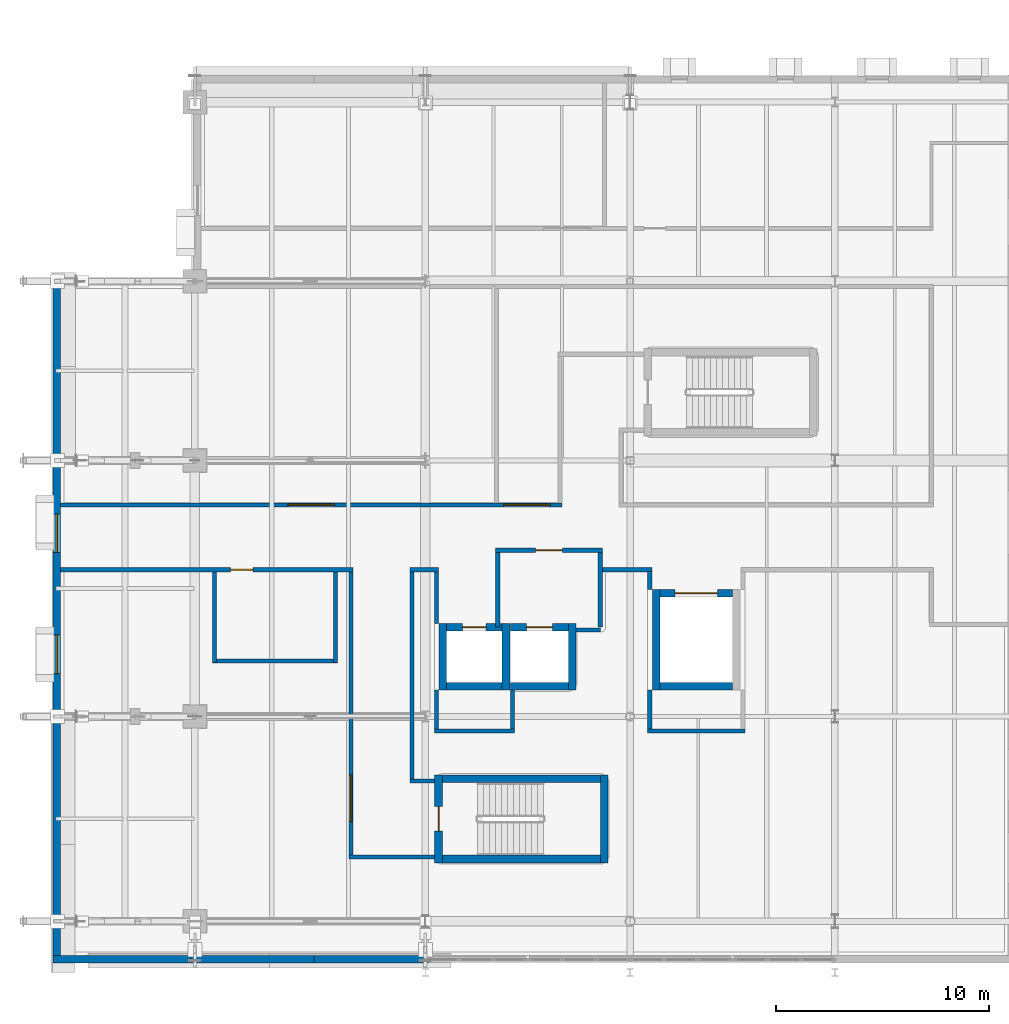
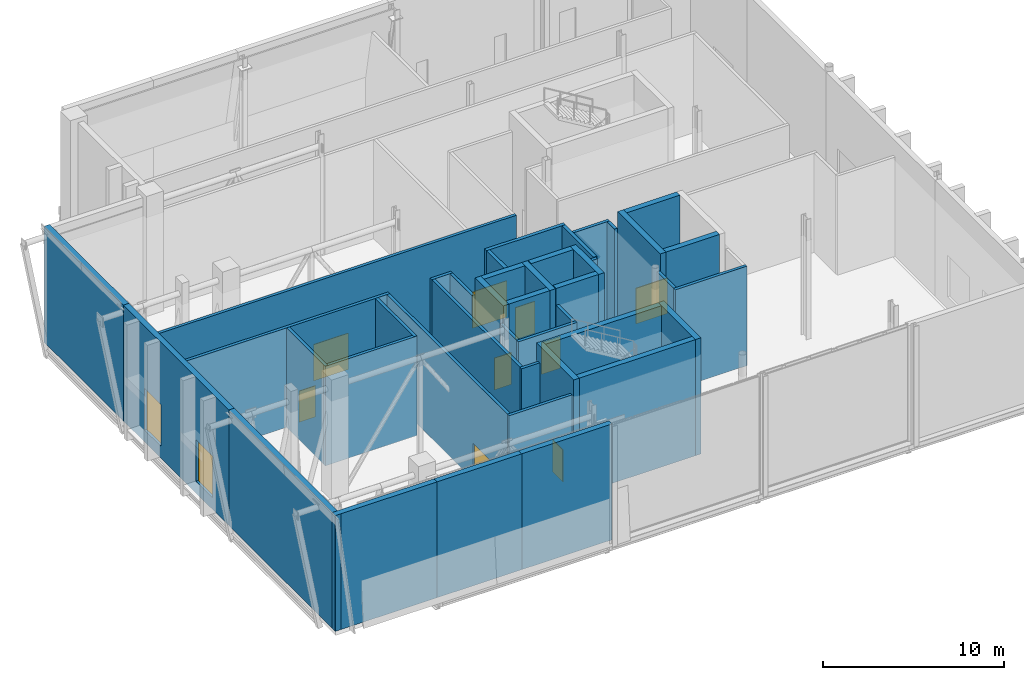
# One storey, part 57 of 79: 42 walls, 9 doors, 2 windows, 11 openings.
"""IFC4 building model written with IfcOpenShell, lengths in metres."""

from ifc_helpers import new_model, si_unit, direction, frame, frame_2d, origin, place, context, subcontext, project, spatial, rectangle, extrude, material, layer, layer_set, type_object, element, fill, save


model = new_model("IFC4")

# Units and contexts
model_context = context("Model", 3, precision=1e-05, world=origin(), true_north=direction((0.0, 1.0)))
body_context = subcontext(model_context, "Body", "Model", "MODEL_VIEW")
ifc_project = project(units=[si_unit("LENGTHUNIT", "METRE"), si_unit("AREAUNIT", "SQUARE_METRE"), si_unit("VOLUMEUNIT", "CUBIC_METRE"), si_unit("PLANEANGLEUNIT", "RADIAN"), si_unit("MASSUNIT", "GRAM", prefix="KILO")], contexts=[model_context])

# Site, building, storey
site_placement = place(None, origin())
site = spatial("IfcSite", under=ifc_project, at=site_placement, CompositionType="ELEMENT")
building_placement = place(site_placement, origin())
building = spatial("IfcBuilding", under=site, at=building_placement, Name="Zereglee Splitstone Museum", CompositionType="ELEMENT")
storey_placement = place(building_placement, frame((0.0, 0.0, 9.0)))
storey = spatial("IfcBuildingStorey", under=building, at=storey_placement, Name="L02", CompositionType="ELEMENT", Elevation=9.0)

# Wall, opening, door
ifc_material_1 = material(Name="Concrete C45/55", Category="concrete")
ifc_layer_1 = layer(ifc_material_1, 0.360107421875)
ifc_layer_set_1 = layer_set([ifc_layer_1], Name="Concrete C45/55")
wall_type_1 = type_object("IfcWallType", Name="CSW-02", PredefinedType="SHEAR", material=ifc_layer_set_1)
wall_1_placement = place(storey_placement, frame((21.02001953125, 2.739990234375, 0.0), z_axis=(0.0, 0.0, 1.0), x_axis=(0.0, 1.0, 0.0)))
wall_1 = element("IfcWall", 1, at=wall_1_placement, inside=storey, type_object=wall_type_1, Name="Stair Core Shear Wall ST-01 L02 West", PredefinedType="SHEAR", context=body_context, shape_type="SweptSolid", body=[
    extrude(rectangle(XDim=4.1201171875, YDim=0.360107421875, at=frame_2d((2.06005859375, 0.0))), origin(), (0.0, 0.0, 1.0), 7.820068359375),
])
opening_1_placement = place(wall_1_placement, frame((1.485107421875, 0.0, 0.0)))
opening_1 = element("IfcOpeningElement", 2, at=opening_1_placement, cuts=wall_1, Name="Opening ID-03", PredefinedType="OPENING", context=body_context, shape_type="SweptSolid", body=[
    extrude(rectangle(XDim=1.14990234375, YDim=2.14990234375, at=frame_2d((0.574951171875, 1.074951171875))), frame((0.0, 0.19482421875, 0.0), z_axis=(0.0, -1.0, 0.0), x_axis=(1.0, 0.0, 0.0)), (0.0, 0.0, 1.0), 0.389892578125),
])
ifc_material_2 = material(Name="Fire-rated steel and Siberian larch leaf", Category="steel")
door_type_1 = type_object("IfcDoorType", Name="ID-03", OperationType="NOTDEFINED", PredefinedType="DOOR", material=ifc_material_2)
door_1_placement = place(opening_1_placement, origin())
door_1 = element("IfcDoor", 3, at=door_1_placement, inside=storey, type_object=door_type_1, Name="Protected Stair Fire Door ST-01 L02", OperationType="SINGLE_SWING_RIGHT", OverallHeight=2.14990234375, OverallWidth=1.14990234375, PredefinedType="DOOR", context=body_context, shape_type="SweptSolid", body=[
    extrude(rectangle(XDim=1.14990234375, YDim=2.14990234375, at=frame_2d((0.574951171875, 1.074951171875))), frame((0.0, 0.02490234375, 0.0), z_axis=(0.0, -1.0, 0.0), x_axis=(1.0, 0.0, 0.0)), (0.0, 0.0, 1.0), 0.050048828125),
])
fill(opening_1, door_1)

# Walls
wall_2_placement = place(storey_placement, frame((28.780029296875, 2.739990234375, 0.0), z_axis=(0.0, 0.0, 1.0), x_axis=(0.0, 1.0, 0.0)))
element("IfcWall", 4, at=wall_2_placement, inside=storey, type_object=wall_type_1, Name="Stair Core Shear Wall ST-01 L02 East", PredefinedType="SHEAR", context=body_context, shape_type="SweptSolid", body=[
    extrude(rectangle(XDim=4.1201171875, YDim=0.360107421875, at=frame_2d((2.06005859375, 0.0))), origin(), (0.0, 0.0, 1.0), 7.820068359375),
])
for number, where, z_axis, x_axis, name in (
    (5, (21.199951171875, 6.679931640625, 0.0), (0.0, 0.0, 1.0), (1.0, 0.0, 0.0), "Stair Core Shear Wall ST-01 L02 North"),
    (6, (21.199951171875, 2.919921875, 0.0), (0.0, 0.0, 1.0), (1.0, 0.0, 0.0), "Stair Core Shear Wall ST-01 L02 South"),
):
    element("IfcWall", number, at=place(storey_placement, frame(where, z_axis=z_axis, x_axis=x_axis)), inside=storey, type_object=wall_type_1, Name=name, PredefinedType="SHEAR", context=body_context, shape_type="SweptSolid", body=[
        extrude(rectangle(XDim=7.400146484375, YDim=0.360107421875, at=frame_2d((3.7001953125, 0.0))), origin(), (0.0, 0.0, 1.0), 7.820068359375),
    ])

# Wall, opening, door
wall_3_placement = place(storey_placement, frame((21.39990234375, 13.780029296875, 0.0), z_axis=(0.0, 0.0, 1.0), x_axis=(1.0, 0.0, 0.0)))
wall_3 = element("IfcWall", 7, at=wall_3_placement, inside=storey, type_object=wall_type_1, Name="Lift Shaft Wall PL-01 L02 North", PredefinedType="SHEAR", context=body_context, shape_type="SweptSolid", body=[
    extrude(rectangle(XDim=2.60009765625, YDim=0.360107421875, at=frame_2d((1.300048828125, 0.0))), origin(), (0.0, 0.0, 1.0), 7.820068359375),
])
opening_2_placement = place(wall_3_placement, frame((0.75, 0.0, 0.0)))
opening_2 = element("IfcOpeningElement", 8, at=opening_2_placement, cuts=wall_3, Name="Opening LD-01", PredefinedType="OPENING", context=body_context, shape_type="SweptSolid", body=[
    extrude(rectangle(XDim=1.10009765625, YDim=2.14990234375, at=frame_2d((0.550048828125, 1.074951171875))), frame((0.0, 0.19482421875, 0.0), z_axis=(0.0, -1.0, 0.0), x_axis=(1.0, 0.0, 0.0)), (0.0, 0.0, 1.0), 0.389892578125),
])
door_type_2 = type_object("IfcDoorType", Name="LD-01", OperationType="DOUBLE_DOOR_SLIDING", PredefinedType="DOOR", material=ifc_material_2)
door_2_placement = place(opening_2_placement, origin())
door_2 = element("IfcDoor", 9, at=door_2_placement, inside=storey, type_object=door_type_2, Name="Lift Landing Sliding Door PL-01 L02", OperationType="DOUBLE_DOOR_SLIDING", OverallHeight=2.14990234375, OverallWidth=1.10009765625, PredefinedType="DOOR", context=body_context, shape_type="SweptSolid", body=[
    extrude(rectangle(XDim=1.10009765625, YDim=2.14990234375, at=frame_2d((0.550048828125, 1.074951171875))), frame((0.0, 0.02490234375, 0.0), z_axis=(0.0, -1.0, 0.0), x_axis=(1.0, 0.0, 0.0)), (0.0, 0.0, 1.0), 0.050048828125),
])
fill(opening_2, door_2)

# Walls
wall_4_placement = place(storey_placement, frame((21.39990234375, 11.02001953125, 0.0), z_axis=(0.0, 0.0, 1.0), x_axis=(1.0, 0.0, 0.0)))
element("IfcWall", 10, at=wall_4_placement, inside=storey, type_object=wall_type_1, Name="Lift Shaft Wall PL-01 L02 South", PredefinedType="SHEAR", context=body_context, shape_type="SweptSolid", body=[
    extrude(rectangle(XDim=2.60009765625, YDim=0.360107421875, at=frame_2d((1.300048828125, 0.0))), origin(), (0.0, 0.0, 1.0), 7.820068359375),
])
for number, where, z_axis, x_axis, name in (
    (11, (21.219970703125, 10.840087890625, 0.0), (0.0, 0.0, 1.0), (0.0, 1.0, 0.0), "Lift Shaft Wall PL-01 L02 West"),
    (12, (24.179931640625, 10.840087890625, 0.0), (0.0, 0.0, 1.0), (0.0, 1.0, 0.0), "Lift Shaft Wall PL-01 L02 East"),
):
    element("IfcWall", number, at=place(storey_placement, frame(where, z_axis=z_axis, x_axis=x_axis)), inside=storey, type_object=wall_type_1, Name=name, PredefinedType="SHEAR", context=body_context, shape_type="SweptSolid", body=[
        extrude(rectangle(XDim=3.119873046875, YDim=0.360107421875, at=frame_2d((1.56005859375, 0.0))), origin(), (0.0, 0.0, 1.0), 7.820068359375),
    ])

# Wall, opening, door
wall_5_placement = place(storey_placement, frame((24.39990234375, 13.780029296875, 0.0), z_axis=(0.0, 0.0, 1.0), x_axis=(1.0, 0.0, 0.0)))
wall_5 = element("IfcWall", 13, at=wall_5_placement, inside=storey, type_object=wall_type_1, Name="Lift Shaft Wall FL-01 L02 North", PredefinedType="SHEAR", context=body_context, shape_type="SweptSolid", body=[
    extrude(rectangle(XDim=2.7001953125, YDim=0.360107421875, at=frame_2d((1.35009765625, 0.0))), origin(), (0.0, 0.0, 1.0), 7.820068359375),
])
opening_3_placement = place(wall_5_placement, frame((0.75, 0.0, 0.0)))
opening_3 = element("IfcOpeningElement", 14, at=opening_3_placement, cuts=wall_5, Name="Opening LD-02", PredefinedType="OPENING", context=body_context, shape_type="SweptSolid", body=[
    extrude(rectangle(XDim=1.199951171875, YDim=2.14990234375, at=frame_2d((0.60009765625, 1.074951171875))), frame((0.0, 0.19482421875, 0.0), z_axis=(0.0, -1.0, 0.0), x_axis=(1.0, 0.0, 0.0)), (0.0, 0.0, 1.0), 0.389892578125),
])
door_type_3 = type_object("IfcDoorType", Name="LD-02", OperationType="DOUBLE_DOOR_SLIDING", PredefinedType="DOOR", material=ifc_material_2)
door_3_placement = place(opening_3_placement, origin())
door_3 = element("IfcDoor", 15, at=door_3_placement, inside=storey, type_object=door_type_3, Name="Lift Landing Sliding Door FL-01 L02", OperationType="DOUBLE_DOOR_SLIDING", OverallHeight=2.14990234375, OverallWidth=1.199951171875, PredefinedType="DOOR", context=body_context, shape_type="SweptSolid", body=[
    extrude(rectangle(XDim=1.199951171875, YDim=2.14990234375, at=frame_2d((0.60009765625, 1.074951171875))), frame((0.0, 0.02490234375, 0.0), z_axis=(0.0, -1.0, 0.0), x_axis=(1.0, 0.0, 0.0)), (0.0, 0.0, 1.0), 0.050048828125),
])
fill(opening_3, door_3)

# Walls
wall_6_placement = place(storey_placement, frame((24.39990234375, 11.02001953125, 0.0), z_axis=(0.0, 0.0, 1.0), x_axis=(1.0, 0.0, 0.0)))
element("IfcWall", 16, at=wall_6_placement, inside=storey, type_object=wall_type_1, Name="Lift Shaft Wall FL-01 L02 South", PredefinedType="SHEAR", context=body_context, shape_type="SweptSolid", body=[
    extrude(rectangle(XDim=2.7001953125, YDim=0.360107421875, at=frame_2d((1.35009765625, 0.0))), origin(), (0.0, 0.0, 1.0), 7.820068359375),
])
wall_7_placement = place(storey_placement, frame((27.280029296875, 10.840087890625, 0.0), z_axis=(0.0, 0.0, 1.0), x_axis=(0.0, 1.0, 0.0)))
element("IfcWall", 17, at=wall_7_placement, inside=storey, type_object=wall_type_1, Name="Lift Shaft Wall FL-01 L02 East", PredefinedType="SHEAR", context=body_context, shape_type="SweptSolid", body=[
    extrude(rectangle(XDim=3.119873046875, YDim=0.360107421875, at=frame_2d((1.56005859375, 0.0))), origin(), (0.0, 0.0, 1.0), 7.820068359375),
])

# Wall, opening, door
wall_8_placement = place(storey_placement, frame((31.39990234375, 15.3798828125, 0.0), z_axis=(0.0, 0.0, 1.0), x_axis=(1.0, 0.0, 0.0)))
wall_8 = element("IfcWall", 18, at=wall_8_placement, inside=storey, type_object=wall_type_1, Name="Lift Shaft Wall GL-02 L02 North", PredefinedType="SHEAR", context=body_context, shape_type="SweptSolid", body=[
    extrude(rectangle(XDim=3.400146484375, YDim=0.360107421875, at=frame_2d((1.7001953125, 0.0))), origin(), (0.0, 0.0, 1.0), 7.820068359375),
])
opening_4_placement = place(wall_8_placement, frame((0.699951171875, 0.0, 0.0)))
opening_4 = element("IfcOpeningElement", 19, at=opening_4_placement, cuts=wall_8, Name="Opening LD-03", PredefinedType="OPENING", context=body_context, shape_type="SweptSolid", body=[
    extrude(rectangle(XDim=2.0, YDim=2.39990234375, at=frame_2d((1.0, 1.199951171875))), frame((0.0, 0.19482421875, 0.0), z_axis=(0.0, -1.0, 0.0), x_axis=(1.0, 0.0, 0.0)), (0.0, 0.0, 1.0), 0.389892578125),
])
door_type_4 = type_object("IfcDoorType", Name="LD-03", OperationType="DOUBLE_DOOR_SLIDING", PredefinedType="DOOR", material=ifc_material_2)
door_4_placement = place(opening_4_placement, origin())
door_4 = element("IfcDoor", 20, at=door_4_placement, inside=storey, type_object=door_type_4, Name="Lift Landing Sliding Door GL-02 L02", OperationType="DOUBLE_DOOR_SLIDING", OverallHeight=2.39990234375, OverallWidth=2.0, PredefinedType="DOOR", context=body_context, shape_type="SweptSolid", body=[
    extrude(rectangle(XDim=2.0, YDim=2.39990234375, at=frame_2d((1.0, 1.199951171875))), frame((0.0, 0.02490234375, 0.0), z_axis=(0.0, -1.0, 0.0), x_axis=(1.0, 0.0, 0.0)), (0.0, 0.0, 1.0), 0.050048828125),
])
fill(opening_4, door_4)

# Walls
wall_9_placement = place(storey_placement, frame((31.39990234375, 11.02001953125, 0.0), z_axis=(0.0, 0.0, 1.0), x_axis=(1.0, 0.0, 0.0)))
element("IfcWall", 21, at=wall_9_placement, inside=storey, type_object=wall_type_1, Name="Lift Shaft Wall GL-02 L02 South", PredefinedType="SHEAR", context=body_context, shape_type="SweptSolid", body=[
    extrude(rectangle(XDim=3.400146484375, YDim=0.360107421875, at=frame_2d((1.7001953125, 0.0))), origin(), (0.0, 0.0, 1.0), 7.820068359375),
])
wall_10_placement = place(storey_placement, frame((31.219970703125, 10.840087890625, 0.0), z_axis=(0.0, 0.0, 1.0), x_axis=(0.0, 1.0, 0.0)))
element("IfcWall", 22, at=wall_10_placement, inside=storey, type_object=wall_type_1, Name="Lift Shaft Wall GL-02 L02 West", PredefinedType="SHEAR", context=body_context, shape_type="SweptSolid", body=[
    extrude(rectangle(XDim=4.719970703125, YDim=0.360107421875, at=frame_2d((2.35986328125, 0.0))), origin(), (0.0, 0.0, 1.0), 7.820068359375),
])
ifc_material_3 = material(Name="Precast concrete C40/50", Category="concrete")
ifc_layer_2 = layer(ifc_material_3, 0.35009765625)
ifc_layer_set_2 = layer_set([ifc_layer_2], Name="Precast concrete C40/50")
wall_type_2 = type_object("IfcWallType", Name="EW-01", PredefinedType="STANDARD", material=ifc_layer_set_2)
wall_11_placement = place(storey_placement, frame((3.1201171875, 30.179931640625, 0.0), z_axis=(0.0, 0.0, 1.0), x_axis=(0.0, -1.0, 0.0)))
element("IfcWall", 23, at=wall_11_placement, inside=storey, type_object=wall_type_2, Name="Exterior Backup Wall RC4-EW-L02-0130", PredefinedType="STANDARD", context=body_context, shape_type="SweptSolid", body=[
    extrude(rectangle(XDim=8.760009765625, YDim=0.35009765625, at=frame_2d((4.3798828125, 0.0))), origin(), (0.0, 0.0, 1.0), 7.800048828125),
])

# Wall, openings, windows
wall_12_placement = place(storey_placement, frame((3.1201171875, 21.780029296875, 0.0), z_axis=(0.0, 0.0, 1.0), x_axis=(0.0, -1.0, 0.0)))
wall_12 = element("IfcWall", 24, at=wall_12_placement, inside=storey, type_object=wall_type_2, Name="Exterior Backup Wall RC4-EW-L02-0131", PredefinedType="STANDARD", context=body_context, shape_type="SweptSolid", body=[
    extrude(rectangle(XDim=12.360107421875, YDim=0.35009765625, at=frame_2d((6.18017578125, 0.0))), origin(), (0.0, 0.0, 1.0), 7.800048828125),
])
opening_5_placement = place(wall_12_placement, frame((2.68994140625, 0.0, 0.800048828125)))
opening_5 = element("IfcOpeningElement", 25, at=opening_5_placement, cuts=wall_12, Name="Opening EW-W07", PredefinedType="OPENING", context=body_context, shape_type="SweptSolid", body=[
    extrude(rectangle(XDim=1.800048828125, YDim=2.800048828125, at=frame_2d((0.89990234375, 1.39990234375))), frame((0.0, 0.18994140625, 0.0), z_axis=(0.0, -1.0, 0.0), x_axis=(1.0, 0.0, 0.0)), (0.0, 0.0, 1.0), 0.3798828125),
])
opening_6_placement = place(wall_12_placement, frame((8.3701171875, 0.0, 0.800048828125)))
opening_6 = element("IfcOpeningElement", 26, at=opening_6_placement, cuts=wall_12, Name="Opening EW-W07", PredefinedType="OPENING", context=body_context, shape_type="SweptSolid", body=[
    extrude(rectangle(XDim=1.800048828125, YDim=2.800048828125, at=frame_2d((0.89990234375, 1.39990234375))), frame((0.0, 0.18994140625, 0.0), z_axis=(0.0, -1.0, 0.0), x_axis=(1.0, 0.0, 0.0)), (0.0, 0.0, 1.0), 0.3798828125),
])
ifc_material_4 = material(Name="Thermally broken aluminium frame with triple low-e glazing", Category="aluminium")
window_type = type_object("IfcWindowType", Name="EW-W07", PartitioningType="DOUBLE_PANEL_VERTICAL", PredefinedType="WINDOW", material=ifc_material_4)
window_1_placement = place(opening_5_placement, origin())
window_1 = element("IfcWindow", 27, at=window_1_placement, inside=storey, type_object=window_type, Name="Mughal Deep-Reveal Gallery Window L02-0081", OverallHeight=2.800048828125, OverallWidth=1.800048828125, PartitioningType="SINGLE_PANEL", PredefinedType="WINDOW", context=body_context, shape_type="SweptSolid", body=[
    extrude(rectangle(XDim=1.800048828125, YDim=2.800048828125, at=frame_2d((0.89990234375, 1.39990234375))), frame((0.0, 0.030029296875, 0.0), z_axis=(0.0, -1.0, 0.0), x_axis=(1.0, 0.0, 0.0)), (0.0, 0.0, 1.0), 0.06005859375),
])
fill(opening_5, window_1)
window_2_placement = place(opening_6_placement, origin())
window_2 = element("IfcWindow", 28, at=window_2_placement, inside=storey, type_object=window_type, Name="Mughal Deep-Reveal Gallery Window L02-0082", OverallHeight=2.800048828125, OverallWidth=1.800048828125, PartitioningType="SINGLE_PANEL", PredefinedType="WINDOW", context=body_context, shape_type="SweptSolid", body=[
    extrude(rectangle(XDim=1.800048828125, YDim=2.800048828125, at=frame_2d((0.89990234375, 1.39990234375))), frame((0.0, 0.030029296875, 0.0), z_axis=(0.0, -1.0, 0.0), x_axis=(1.0, 0.0, 0.0)), (0.0, 0.0, 1.0), 0.06005859375),
])
fill(opening_6, window_2)

# Walls
wall_13_placement = place(storey_placement, frame((3.1201171875, 9.780029296875, 0.0), z_axis=(0.0, 0.0, 1.0), x_axis=(0.0, -1.0, 0.0)))
element("IfcWall", 29, at=wall_13_placement, inside=storey, type_object=wall_type_2, Name="Exterior Backup Wall RC4-EW-L02-0132", PredefinedType="STANDARD", context=body_context, shape_type="SweptSolid", body=[
    extrude(rectangle(XDim=11.739990234375, YDim=0.35009765625, at=frame_2d((5.8701171875, 0.0))), origin(), (0.0, 0.0, 1.0), 7.800048828125),
])
wall_14_placement = place(storey_placement, frame((2.93994140625, -1.780029296875, 0.0), z_axis=(0.0, 0.0, 1.0), x_axis=(1.0, 0.0, 0.0)))
element("IfcWall", 30, at=wall_14_placement, inside=storey, type_object=wall_type_2, Name="Exterior Backup Wall RC4-EW-L02-0133", PredefinedType="STANDARD", context=body_context, shape_type="SweptSolid", body=[
    extrude(rectangle(XDim=6.840087890625, YDim=0.35009765625, at=frame_2d((3.419921875, 0.0))), origin(), (0.0, 0.0, 1.0), 7.800048828125),
])
for number, where, z_axis, x_axis, name in (
    (31, (9.419921875, -1.780029296875, 0.0), (0.0, 0.0, 1.0), (1.0, 0.0, 0.0), "Exterior Backup Wall RC4-EW-L02-0134"),
    (32, (14.820068359375, -1.780029296875, 0.0), (0.0, 0.0, 1.0), (1.0, 0.0, 0.0), "Exterior Backup Wall RC4-EW-L02-0135"),
):
    element("IfcWall", number, at=place(storey_placement, frame(where, z_axis=z_axis, x_axis=x_axis)), inside=storey, type_object=wall_type_2, Name=name, PredefinedType="STANDARD", context=body_context, shape_type="SweptSolid", body=[
        extrude(rectangle(XDim=5.760009765625, YDim=0.35009765625, at=frame_2d((2.8798828125, 0.0))), origin(), (0.0, 0.0, 1.0), 7.800048828125),
    ])

# Wall, opening, door
ifc_material_5 = material(Name="Concrete C35/45", Category="concrete")
ifc_layer_3 = layer(ifc_material_5, 0.219970703125)
ifc_layer_set_3 = layer_set([ifc_layer_3], Name="Concrete C35/45")
wall_type_3 = type_object("IfcWallType", Name="IW-01", PredefinedType="PARTITIONING", material=ifc_layer_set_3)
wall_15_placement = place(storey_placement, frame((23.68994140625, 17.39990234375, 0.0), z_axis=(0.0, 0.0, 1.0), x_axis=(1.0, 0.0, 0.0)))
wall_15 = element("IfcWall", 33, at=wall_15_placement, inside=storey, type_object=wall_type_3, Name="Firefighting Lobby Wall L02 North", PredefinedType="PARTITIONING", context=body_context, shape_type="SweptSolid", body=[
    extrude(rectangle(XDim=5.02001953125, YDim=0.219970703125, at=frame_2d((2.510009765625, 0.0))), origin(), (0.0, 0.0, 1.0), 6.699951171875),
])
opening_7_placement = place(wall_15_placement, frame((1.885009765625, 0.0, 0.0)))
opening_7 = element("IfcOpeningElement", 34, at=opening_7_placement, cuts=wall_15, Name="Opening ID-04", PredefinedType="OPENING", context=body_context, shape_type="SweptSolid", body=[
    extrude(rectangle(XDim=1.25, YDim=2.14990234375, at=frame_2d((0.625, 1.074951171875))), frame((0.0, 0.125, 0.0), z_axis=(0.0, -1.0, 0.0), x_axis=(1.0, 0.0, 0.0)), (0.0, 0.0, 1.0), 0.249755859375),
])
door_type_5 = type_object("IfcDoorType", Name="ID-04", OperationType="NOTDEFINED", PredefinedType="DOOR", material=ifc_material_2)
door_5_placement = place(opening_7_placement, origin())
door_5 = element("IfcDoor", 35, at=door_5_placement, inside=storey, type_object=door_type_5, Name="Firefighting Lobby Fire Door L02", OperationType="SINGLE_SWING_LEFT", OverallHeight=2.14990234375, OverallWidth=1.25, PredefinedType="DOOR", context=body_context, shape_type="SweptSolid", body=[
    extrude(rectangle(XDim=1.25, YDim=2.14990234375, at=frame_2d((0.625, 1.074951171875))), frame((0.0, 0.02490234375, 0.0), z_axis=(0.0, -1.0, 0.0), x_axis=(1.0, 0.0, 0.0)), (0.0, 0.0, 1.0), 0.050048828125),
])
fill(opening_7, door_5)

# Walls
for number, where, z_axis, x_axis, name in (
    (36, (23.800048828125, 13.800048828125, 0.0), (0.0, 0.0, 1.0), (0.0, 1.0, 0.0), "Firefighting Lobby Wall L02 West"),
    (37, (28.60009765625, 13.800048828125, 0.0), (0.0, 0.0, 1.0), (0.0, 1.0, 0.0), "Firefighting Lobby Wall L02 East"),
):
    element("IfcWall", number, at=place(storey_placement, frame(where, z_axis=z_axis, x_axis=x_axis)), inside=storey, type_object=wall_type_3, Name=name, PredefinedType="PARTITIONING", context=body_context, shape_type="SweptSolid", body=[
        extrude(rectangle(XDim=3.489990234375, YDim=0.219970703125, at=frame_2d((1.7451171875, 0.0))), origin(), (0.0, 0.0, 1.0), 6.699951171875),
    ])
ifc_material_6 = material(Name="Gypsum board on acoustic steel stud", Category="steel")
ifc_layer_4 = layer(ifc_material_6, 0.18994140625)
ifc_layer_set_4 = layer_set([ifc_layer_4], Name="Gypsum board on acoustic steel stud")
wall_type_4 = type_object("IfcWallType", Name="IW-02", PredefinedType="PARTITIONING", material=ifc_layer_set_4)
wall_16_placement = place(storey_placement, frame((16.824951171875, 3.02001953125, 0.0), z_axis=(0.0, 0.0, 1.0), x_axis=(1.0, 0.0, 0.0)))
element("IfcWall", 38, at=wall_16_placement, inside=storey, type_object=wall_type_4, Name="Interior Partition L02-0453 (Central Asian Sculpture Hall)", PredefinedType="PARTITIONING", context=body_context, shape_type="SweptSolid", body=[
    extrude(rectangle(XDim=4.01513671875, YDim=0.18994140625, at=frame_2d((2.007568359375, 0.0))), origin(), (0.0, 0.0, 1.0), 6.699951171875),
])
wall_17_placement = place(storey_placement, frame((19.68505859375, 6.580078125, 0.0), z_axis=(0.0, 0.0, 1.0), x_axis=(1.0, 0.0, 0.0)))
element("IfcWall", 39, at=wall_17_placement, inside=storey, type_object=wall_type_4, Name="Interior Partition L02-0455 (Central Asian Sculpture Hall)", PredefinedType="PARTITIONING", context=body_context, shape_type="SweptSolid", body=[
    extrude(rectangle(XDim=1.155029296875, YDim=0.18994140625, at=frame_2d((0.57763671875, 0.0))), origin(), (0.0, 0.0, 1.0), 6.699951171875),
])
wall_18_placement = place(storey_placement, frame((20.824951171875, 8.919921875, 0.0), z_axis=(0.0, 0.0, 1.0), x_axis=(1.0, 0.0, 0.0)))
element("IfcWall", 40, at=wall_18_placement, inside=storey, type_object=wall_type_4, Name="Interior Partition L02-0457 (Central Asian Sculpture Hall)", PredefinedType="PARTITIONING", context=body_context, shape_type="SweptSolid", body=[
    extrude(rectangle(XDim=3.75, YDim=0.18994140625, at=frame_2d((1.875, 0.0))), origin(), (0.0, 0.0, 1.0), 6.699951171875),
])
wall_19_placement = place(storey_placement, frame((30.824951171875, 8.919921875, 0.0), z_axis=(0.0, 0.0, 1.0), x_axis=(1.0, 0.0, 0.0)))
element("IfcWall", 41, at=wall_19_placement, inside=storey, type_object=wall_type_4, Name="Interior Partition L02-0458 (Central Asian Sculpture Hall)", PredefinedType="PARTITIONING", context=body_context, shape_type="SweptSolid", body=[
    extrude(rectangle(XDim=4.550048828125, YDim=0.18994140625, at=frame_2d((2.27490234375, 0.0))), origin(), (0.0, 0.0, 1.0), 6.699951171875),
])
wall_20_placement = place(storey_placement, frame((10.425048828125, 12.199951171875, 0.0), z_axis=(0.0, 0.0, 1.0), x_axis=(1.0, 0.0, 0.0)))
element("IfcWall", 42, at=wall_20_placement, inside=storey, type_object=wall_type_4, Name="Interior Partition L02-0462 (Public Washroom)", PredefinedType="PARTITIONING", context=body_context, shape_type="SweptSolid", body=[
    extrude(rectangle(XDim=5.849853515625, YDim=0.18994140625, at=frame_2d((2.9248046875, 0.0))), origin(), (0.0, 0.0, 1.0), 6.699951171875),
])
wall_21_placement = place(storey_placement, frame((27.4599609375, 13.659912109375, 0.0), z_axis=(0.0, 0.0, 1.0), x_axis=(1.0, 0.0, 0.0)))
element("IfcWall", 43, at=wall_21_placement, inside=storey, type_object=wall_type_4, Name="Interior Partition L02-0468 (Central Asian Sculpture Hall)", PredefinedType="PARTITIONING", context=body_context, shape_type="SweptSolid", body=[
    extrude(rectangle(XDim=1.14013671875, YDim=0.18994140625, at=frame_2d((0.570068359375, 0.0))), origin(), (0.0, 0.0, 1.0), 6.699951171875),
])

# Wall, opening, door
wall_22_placement = place(storey_placement, frame((3.294921875, 16.47998046875, 0.0), z_axis=(0.0, 0.0, 1.0), x_axis=(1.0, 0.0, 0.0)))
wall_22 = element("IfcWall", 44, at=wall_22_placement, inside=storey, type_object=wall_type_4, Name="Interior Partition L02-0471 (Public Washroom)", PredefinedType="PARTITIONING", context=body_context, shape_type="SweptSolid", body=[
    extrude(rectangle(XDim=13.719970703125, YDim=0.18994140625, at=frame_2d((6.85986328125, 0.0))), origin(), (0.0, 0.0, 1.0), 6.699951171875),
])
opening_8_placement = place(wall_22_placement, frame((7.9814453125, 0.0, 0.0)))
opening_8 = element("IfcOpeningElement", 45, at=opening_8_placement, cuts=wall_22, Name="Opening ID-12", PredefinedType="OPENING", context=body_context, shape_type="SweptSolid", body=[
    extrude(rectangle(XDim=1.050048828125, YDim=2.10009765625, at=frame_2d((0.52490234375, 1.050048828125))), frame((0.0, 0.10986328125, 0.0), z_axis=(0.0, -1.0, 0.0), x_axis=(1.0, 0.0, 0.0)), (0.0, 0.0, 1.0), 0.2197265625),
])
ifc_material_7 = material(Name="Siberian larch acoustic timber leaf in bronze-steel frame", Category="steel")
door_type_6 = type_object("IfcDoorType", Name="ID-12", OperationType="NOTDEFINED", PredefinedType="DOOR", material=ifc_material_7)
door_6_placement = place(opening_8_placement, frame((1.050048828125, 0.0, 0.0), z_axis=(0.0, 0.0, 1.0), x_axis=(-1.0, 0.0, 0.0)))
door_6 = element("IfcDoor", 46, at=door_6_placement, inside=storey, type_object=door_type_6, Name="Interior Door L02-0079 (Public Washroom)", OperationType="SINGLE_SWING_RIGHT", OverallHeight=2.10009765625, OverallWidth=1.050048828125, PredefinedType="DOOR", context=body_context, shape_type="SweptSolid", body=[
    extrude(rectangle(XDim=1.050048828125, YDim=2.10009765625, at=frame_2d((0.52490234375, 1.050048828125))), frame((0.0, 0.02490234375, 0.0), z_axis=(0.0, -1.0, 0.0), x_axis=(1.0, 0.0, 0.0)), (0.0, 0.0, 1.0), 0.050048828125),
])
fill(opening_8, door_6)

# Walls
wall_23_placement = place(storey_placement, frame((19.68505859375, 16.47998046875, 0.0), z_axis=(0.0, 0.0, 1.0), x_axis=(1.0, 0.0, 0.0)))
element("IfcWall", 47, at=wall_23_placement, inside=storey, type_object=wall_type_4, Name="Interior Partition L02-0472 (Central Asian Sculpture Hall)", PredefinedType="PARTITIONING", context=body_context, shape_type="SweptSolid", body=[
    extrude(rectangle(XDim=1.329833984375, YDim=0.18994140625, at=frame_2d((0.6650390625, 0.0))), origin(), (0.0, 0.0, 1.0), 6.699951171875),
])
wall_24_placement = place(storey_placement, frame((28.7099609375, 16.47998046875, 0.0), z_axis=(0.0, 0.0, 1.0), x_axis=(1.0, 0.0, 0.0)))
element("IfcWall", 48, at=wall_24_placement, inside=storey, type_object=wall_type_4, Name="Interior Partition L02-0473 (Central Asian Sculpture Hall)", PredefinedType="PARTITIONING", context=body_context, shape_type="SweptSolid", body=[
    extrude(rectangle(XDim=2.304931640625, YDim=0.18994140625, at=frame_2d((1.15234375, 0.0))), origin(), (0.0, 0.0, 1.0), 6.699951171875),
])

# Wall, openings, doors
wall_25_placement = place(storey_placement, frame((3.294921875, 19.52001953125, 0.0), z_axis=(0.0, 0.0, 1.0), x_axis=(1.0, 0.0, 0.0)))
wall_25 = element("IfcWall", 49, at=wall_25_placement, inside=storey, type_object=wall_type_4, Name="Interior Partition L02-0478 (Cantilevered Megafauna Exhibition Gallery)", PredefinedType="PARTITIONING", context=body_context, shape_type="SweptSolid", body=[
    extrude(rectangle(XDim=23.52001953125, YDim=0.18994140625, at=frame_2d((11.760009765625, 0.0))), origin(), (0.0, 0.0, 1.0), 6.699951171875),
])
opening_9_placement = place(wall_25_placement, frame((10.659912109375, 0.0, 0.0)))
opening_9 = element("IfcOpeningElement", 50, at=opening_9_placement, cuts=wall_25, Name="Opening ID-01", PredefinedType="OPENING", context=body_context, shape_type="SweptSolid", body=[
    extrude(rectangle(XDim=2.199951171875, YDim=2.449951171875, at=frame_2d((1.10009765625, 1.22509765625))), frame((0.0, 0.10986328125, 0.0), z_axis=(0.0, -1.0, 0.0), x_axis=(1.0, 0.0, 0.0)), (0.0, 0.0, 1.0), 0.2197265625),
])
opening_10_placement = place(wall_25_placement, frame((20.77001953125, 0.0, 0.0)))
opening_10 = element("IfcOpeningElement", 51, at=opening_10_placement, cuts=wall_25, Name="Opening ID-01", PredefinedType="OPENING", context=body_context, shape_type="SweptSolid", body=[
    extrude(rectangle(XDim=2.199951171875, YDim=2.449951171875, at=frame_2d((1.10009765625, 1.22509765625))), frame((0.0, 0.10986328125, 0.0), z_axis=(0.0, -1.0, 0.0), x_axis=(1.0, 0.0, 0.0)), (0.0, 0.0, 1.0), 0.2197265625),
])
door_type_7 = type_object("IfcDoorType", Name="ID-01", OperationType="NOTDEFINED", PredefinedType="DOOR", material=ifc_material_2)
door_7_placement = place(opening_9_placement, origin())
door_7 = element("IfcDoor", 52, at=door_7_placement, inside=storey, type_object=door_type_7, Name="Interior Door L02-0082 (Cantilevered Megafauna Exhibition Gallery)", OperationType="DOUBLE_DOOR_SINGLE_SWING", OverallHeight=2.449951171875, OverallWidth=2.199951171875, PredefinedType="DOOR", context=body_context, shape_type="SweptSolid", body=[
    extrude(rectangle(XDim=2.199951171875, YDim=2.449951171875, at=frame_2d((1.10009765625, 1.22509765625))), frame((0.0, 0.02490234375, 0.0), z_axis=(0.0, -1.0, 0.0), x_axis=(1.0, 0.0, 0.0)), (0.0, 0.0, 1.0), 0.050048828125),
])
fill(opening_9, door_7)
door_8_placement = place(opening_10_placement, origin())
door_8 = element("IfcDoor", 53, at=door_8_placement, inside=storey, type_object=door_type_7, Name="Interior Door L02-0083 (Nomadic Bronze Heritage Gallery)", OperationType="DOUBLE_DOOR_SINGLE_SWING", OverallHeight=2.449951171875, OverallWidth=2.199951171875, PredefinedType="DOOR", context=body_context, shape_type="SweptSolid", body=[
    extrude(rectangle(XDim=2.199951171875, YDim=2.449951171875, at=frame_2d((1.10009765625, 1.22509765625))), frame((0.0, 0.02490234375, 0.0), z_axis=(0.0, -1.0, 0.0), x_axis=(1.0, 0.0, 0.0)), (0.0, 0.0, 1.0), 0.050048828125),
])
fill(opening_10, door_8)

# Walls
for number, where, z_axis, x_axis, name in (
    (54, (10.52001953125, 12.1298828125, 0.0), (0.0, 0.0, 1.0), (0.0, 1.0, 0.0), "Interior Partition L02-0508 (Public Washroom)"),
    (55, (16.179931640625, 12.1298828125, 0.0), (0.0, 0.0, 1.0), (0.0, 1.0, 0.0), "Interior Partition L02-0509 (Public Washroom)"),
):
    element("IfcWall", number, at=place(storey_placement, frame(where, z_axis=z_axis, x_axis=x_axis)), inside=storey, type_object=wall_type_4, Name=name, PredefinedType="PARTITIONING", context=body_context, shape_type="SweptSolid", body=[
        extrude(rectangle(XDim=4.255126953125, YDim=0.18994140625, at=frame_2d((2.12744140625, 0.0))), origin(), (0.0, 0.0, 1.0), 6.699951171875),
    ])

# Wall, opening, door
wall_26_placement = place(storey_placement, frame((16.919921875, 3.114990234375, 0.0), z_axis=(0.0, 0.0, 1.0), x_axis=(0.0, 1.0, 0.0)))
wall_26 = element("IfcWall", 56, at=wall_26_placement, inside=storey, type_object=wall_type_4, Name="Interior Partition L02-0510 (Central Asian Sculpture Hall)", PredefinedType="PARTITIONING", context=body_context, shape_type="SweptSolid", body=[
    extrude(rectangle(XDim=13.27001953125, YDim=0.18994140625, at=frame_2d((6.635009765625, 0.0))), origin(), (0.0, 0.0, 1.0), 6.699951171875),
])
opening_11_placement = place(wall_26_placement, frame((1.553955078125, 0.0, 0.0)))
opening_11 = element("IfcOpeningElement", 57, at=opening_11_placement, cuts=wall_26, Name="Opening ID-01", PredefinedType="OPENING", context=body_context, shape_type="SweptSolid", body=[
    extrude(rectangle(XDim=2.199951171875, YDim=2.449951171875, at=frame_2d((1.10009765625, 1.22509765625))), frame((0.0, 0.10986328125, 0.0), z_axis=(0.0, -1.0, 0.0), x_axis=(1.0, 0.0, 0.0)), (0.0, 0.0, 1.0), 0.2197265625),
])
door_9_placement = place(opening_11_placement, origin())
door_9 = element("IfcDoor", 58, at=door_9_placement, inside=storey, type_object=door_type_7, Name="Interior Door L02-0081 (Central Asian Sculpture Hall)", OperationType="DOUBLE_DOOR_SINGLE_SWING", OverallHeight=2.449951171875, OverallWidth=2.199951171875, PredefinedType="DOOR", context=body_context, shape_type="SweptSolid", body=[
    extrude(rectangle(XDim=2.199951171875, YDim=2.449951171875, at=frame_2d((1.10009765625, 1.22509765625))), frame((0.0, 0.02490234375, 0.0), z_axis=(0.0, -1.0, 0.0), x_axis=(1.0, 0.0, 0.0)), (0.0, 0.0, 1.0), 0.050048828125),
])
fill(opening_11, door_9)

# Walls
wall_27_placement = place(storey_placement, frame((19.780029296875, 6.675048828125, 0.0), z_axis=(0.0, 0.0, 1.0), x_axis=(0.0, 1.0, 0.0)))
element("IfcWall", 59, at=wall_27_placement, inside=storey, type_object=wall_type_4, Name="Interior Partition L02-0511 (Central Asian Sculpture Hall)", PredefinedType="PARTITIONING", context=body_context, shape_type="SweptSolid", body=[
    extrude(rectangle(XDim=9.7099609375, YDim=0.18994140625, at=frame_2d((4.85498046875, 0.0))), origin(), (0.0, 0.0, 1.0), 6.699951171875),
])
wall_28_placement = place(storey_placement, frame((20.919921875, 9.014892578125, 0.0), z_axis=(0.0, 0.0, 1.0), x_axis=(0.0, 1.0, 0.0)))
element("IfcWall", 60, at=wall_28_placement, inside=storey, type_object=wall_type_4, Name="Interior Partition L02-0512 (Central Asian Sculpture Hall)", PredefinedType="PARTITIONING", context=body_context, shape_type="SweptSolid", body=[
    extrude(rectangle(XDim=1.8251953125, YDim=0.18994140625, at=frame_2d((0.91259765625, 0.0))), origin(), (0.0, 0.0, 1.0), 6.699951171875),
])
wall_29_placement = place(storey_placement, frame((20.919921875, 13.9599609375, 0.0), z_axis=(0.0, 0.0, 1.0), x_axis=(0.0, 1.0, 0.0)))
element("IfcWall", 61, at=wall_29_placement, inside=storey, type_object=wall_type_4, Name="Interior Partition L02-0513 (Central Asian Sculpture Hall)", PredefinedType="PARTITIONING", context=body_context, shape_type="SweptSolid", body=[
    extrude(rectangle(XDim=2.425048828125, YDim=0.18994140625, at=frame_2d((1.21240234375, 0.0))), origin(), (0.0, 0.0, 1.0), 6.699951171875),
])
for number, where, z_axis, x_axis, name in (
    (62, (24.47998046875, 9.014892578125, 0.0), (0.0, 0.0, 1.0), (0.0, 1.0, 0.0), "Interior Partition L02-0515 (Central Asian Sculpture Hall)"),
    (63, (30.919921875, 9.014892578125, 0.0), (0.0, 0.0, 1.0), (0.0, 1.0, 0.0), "Interior Partition L02-0519 (Central Asian Sculpture Hall)"),
):
    element("IfcWall", number, at=place(storey_placement, frame(where, z_axis=z_axis, x_axis=x_axis)), inside=storey, type_object=wall_type_4, Name=name, PredefinedType="PARTITIONING", context=body_context, shape_type="SweptSolid", body=[
        extrude(rectangle(XDim=1.8251953125, YDim=0.18994140625, at=frame_2d((0.91259765625, 0.0))), origin(), (0.0, 0.0, 1.0), 6.699951171875),
    ])
wall_30_placement = place(storey_placement, frame((30.919921875, 15.56005859375, 0.0), z_axis=(0.0, 0.0, 1.0), x_axis=(0.0, 1.0, 0.0)))
element("IfcWall", 64, at=wall_30_placement, inside=storey, type_object=wall_type_4, Name="Interior Partition L02-0520 (Central Asian Sculpture Hall)", PredefinedType="PARTITIONING", context=body_context, shape_type="SweptSolid", body=[
    extrude(rectangle(XDim=0.824951171875, YDim=0.18994140625, at=frame_2d((0.41259765625, 0.0))), origin(), (0.0, 0.0, 1.0), 6.699951171875),
])

save(model, "model.ifc")
